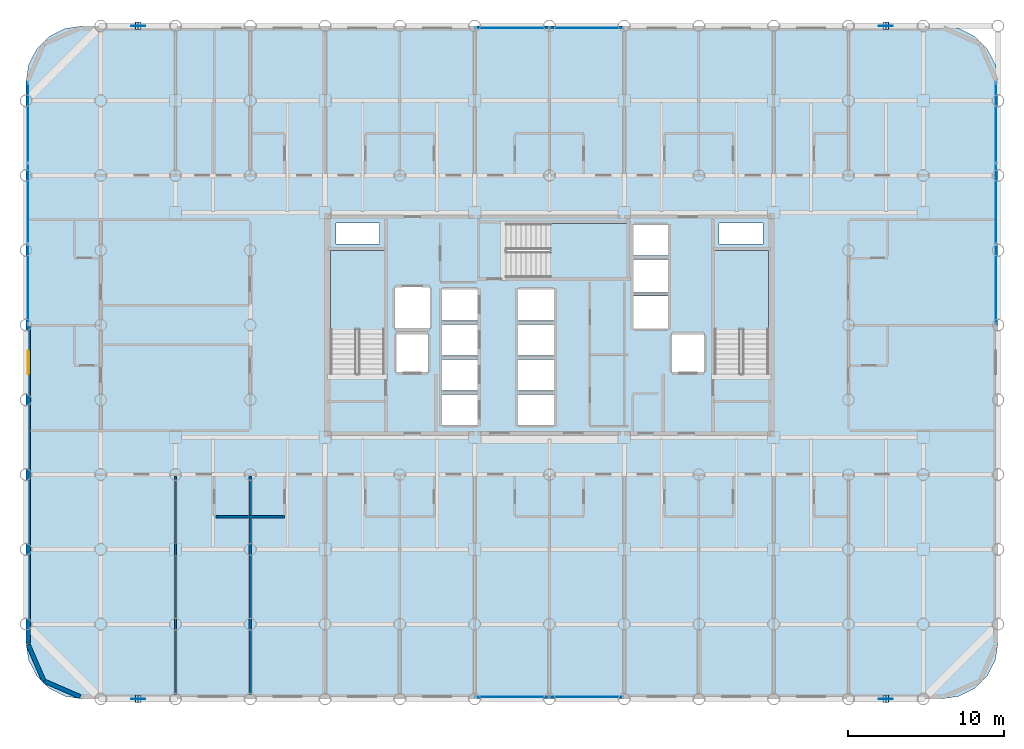
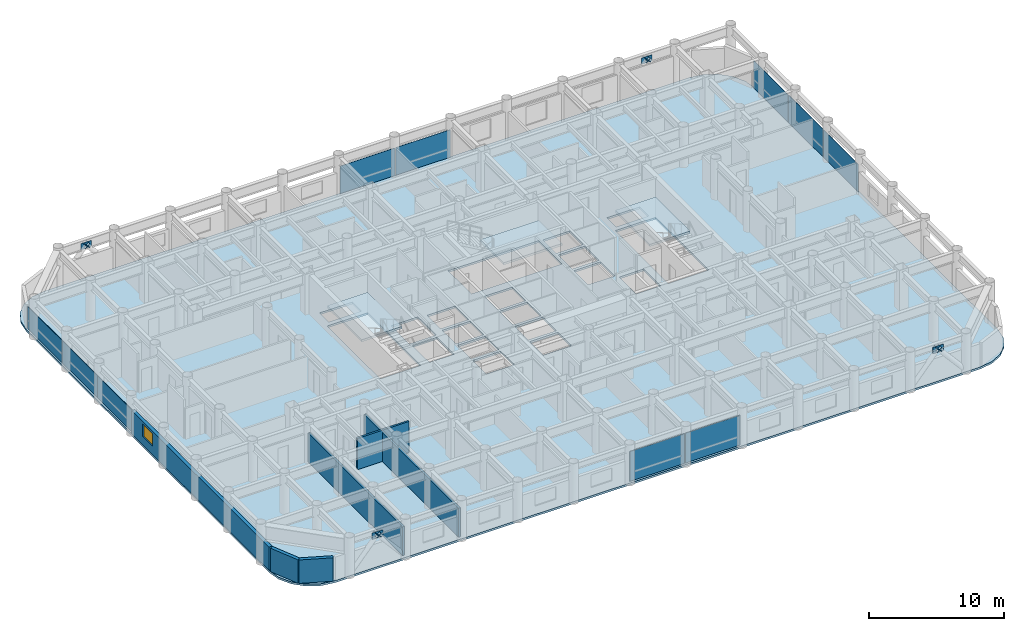
# One storey, part 15 of 22: 22 plates, 6 walls, 4 slabs, 1 window, 1 opening, 7 elements without a shape of their own.
"""IFC4 building model written with IfcOpenShell, lengths in metres."""

import ifcopenshell
import ifcopenshell.guid

model = None  # the IFC model being written
_history = None  # IfcOwnerHistory: only IFC2X3 demands one
_inside = {}  # id of a spatial element -> (the spatial element, [elements in it])
_under = {}  # id of a project, library or spatial element -> (it, [spatial elements below it])
_declared = {}  # id of a project -> (the project, [libraries it declares])
_typed = {}  # id of a type object -> (the type object, [elements of that type])
_made_of = {}  # id of a material, layer set ... -> (it, [elements and type objects made of it])


def new_model(schema):
    """Start an empty IFC model of exactly this schema.

    Asked for "IFC4X3", IfcOpenShell would pick the latest addendum, in which some entities
    have other attributes; the version numbers below select the first issue.
    IFC2X3 requires an IfcOwnerHistory on every rooted entity: one is made here for all.
    """
    global model, _history
    if schema == "IFC4X3":
        model = ifcopenshell.file(schema_version=(4, 3, 0, 0))
    else:
        model = ifcopenshell.file(schema=schema)
    _inside.clear()
    _under.clear()
    _declared.clear()
    _typed.clear()
    _made_of.clear()
    _history = None
    if model.schema == "IFC2X3":
        org = make("IfcOrganization", Name="unknown")
        user = make(
            "IfcPersonAndOrganization",
            ThePerson=make("IfcPerson", FamilyName="unknown"),
            TheOrganization=org,
        )
        app = make(
            "IfcApplication",
            ApplicationDeveloper=org,
            Version="unknown",
            ApplicationFullName="unknown",
            ApplicationIdentifier="unknown",
        )
        _history = make(
            "IfcOwnerHistory",
            OwningUser=user,
            OwningApplication=app,
            ChangeAction="ADDED",
            CreationDate=0,
        )
    return model


def make(cls, **values):
    """One entity of the class cls with the attributes given. An attribute that is None is left unset."""
    return model.create_entity(
        cls, **{name: value for name, value in values.items() if value is not None}
    )


def rooted(cls, **values):
    """An entity with a GlobalId (a new one), such as an element, a storey or a relation."""
    return make(cls, GlobalId=ifcopenshell.guid.new(), OwnerHistory=_history, **values)


def si_unit(unit_type, name, prefix=None):
    """IfcSIUnit, for example si_unit("LENGTHUNIT", "METRE", prefix="MILLI")."""
    return make("IfcSIUnit", UnitType=unit_type, Prefix=prefix, Name=name)


def assignment(units):
    """IfcUnitAssignment: the units of a project."""
    return None if units is None else make("IfcUnitAssignment", Units=units)


def point(xyz):
    """IfcCartesianPoint."""
    return None if xyz is None else make("IfcCartesianPoint", Coordinates=xyz)


def direction(xyz):
    """IfcDirection."""
    return None if xyz is None else make("IfcDirection", DirectionRatios=xyz)


def frame(location, z_axis=None, x_axis=None):
    """IfcAxis2Placement3D, a coordinate frame: its origin and axes. An axis left out is left unset."""
    return make(
        "IfcAxis2Placement3D",
        Location=point(location),
        Axis=direction(z_axis),
        RefDirection=direction(x_axis),
    )


def frame_2d(location, x_axis=None):
    """IfcAxis2Placement2D, a coordinate frame in the plane: its origin and x axis."""
    return make(
        "IfcAxis2Placement2D", Location=point(location), RefDirection=direction(x_axis)
    )


def origin():
    """The frame at (0, 0, 0) with its axes left unset."""
    return frame((0.0, 0.0, 0.0))


def origin_2d():
    """The frame at (0, 0) in the plane with its x axis left unset."""
    return frame_2d((0.0, 0.0))


def place(relative_to, where):
    """IfcLocalPlacement: puts the frame where relative to a parent placement (None: the world)."""
    return make(
        "IfcLocalPlacement", PlacementRelTo=relative_to, RelativePlacement=where
    )


def context(
    kind, dimensions, precision=None, world=None, true_north=None, identifier=None
):
    """IfcGeometricRepresentationContext, for example the 3D "Model" context."""
    return make(
        "IfcGeometricRepresentationContext",
        ContextIdentifier=identifier,
        ContextType=kind,
        CoordinateSpaceDimension=dimensions,
        Precision=precision,
        WorldCoordinateSystem=world,
        TrueNorth=true_north,
    )


def subcontext(parent, identifier, kind, view, scale=None):
    """IfcGeometricRepresentationSubContext, for example "Body" below "Model"."""
    return make(
        "IfcGeometricRepresentationSubContext",
        ContextIdentifier=identifier,
        ContextType=kind,
        ParentContext=parent,
        TargetScale=scale,
        TargetView=view,
    )


def project(units=None, contexts=None):
    """IfcProject with its units and contexts."""
    return rooted(
        "IfcProject",
        Name="project",
        RepresentationContexts=contexts,
        UnitsInContext=assignment(units),
    )


def spatial(cls, under=None, at=None, **own):
    """A site, building, storey or space (cls), placed at a placement, below another one or the project."""
    s = rooted(cls, ObjectPlacement=at, **own)
    if under is not None:
        _under.setdefault(under.id(), (under, []))[1].append(s)
    return s


def polyline(points):
    """IfcPolyline through the points."""
    return make("IfcPolyline", Points=[point(p) for p in points])


def profile(cls, at=None, kind="AREA", **sizes):
    """A parametric profile (cls). Its sizes go by their IFC names, for example OverallWidth=200.0."""
    return make(cls, ProfileType=kind, Position=at, **sizes)


def rectangle(**sizes):
    """IfcRectangleProfileDef."""
    return profile("IfcRectangleProfileDef", **sizes)


def outline(outer, holes=None, kind="AREA"):
    """IfcArbitraryClosedProfileDef: a profile drawn as a closed curve; with holes, ...WithVoids."""
    if holes is None:
        return make("IfcArbitraryClosedProfileDef", ProfileType=kind, OuterCurve=outer)
    return make(
        "IfcArbitraryProfileDefWithVoids",
        ProfileType=kind,
        OuterCurve=outer,
        InnerCurves=holes,
    )


def extrude(swept, where, along, depth):
    """IfcExtrudedAreaSolid: the profile swept, set in the frame where, extruded along a direction by depth."""
    return make(
        "IfcExtrudedAreaSolid",
        SweptArea=swept,
        Position=where,
        ExtrudedDirection=direction(along),
        Depth=depth,
    )


def shape(context_of_items, identifier, shape_type, items):
    """IfcShapeRepresentation: the items that make up one representation, for example the "Body"."""
    return make(
        "IfcShapeRepresentation",
        ContextOfItems=context_of_items,
        RepresentationIdentifier=identifier,
        RepresentationType=shape_type,
        Items=items,
    )


def material(Name=None, Category=None):
    """IfcMaterial."""
    return make("IfcMaterial", Name=Name, Category=Category)


def layer(
    of_material, thickness, ventilated=None, Name=None, Category=None, Priority=None
):
    """IfcMaterialLayer: one layer of a wall or slab, of a material (None: an air gap)."""
    return make(
        "IfcMaterialLayer",
        Material=of_material,
        LayerThickness=thickness,
        IsVentilated=ventilated,
        Name=Name,
        Category=Category,
        Priority=Priority,
    )


def layer_set(layers, Name=None):
    """IfcMaterialLayerSet."""
    return make("IfcMaterialLayerSet", MaterialLayers=layers, LayerSetName=Name)


def made_of(thing, what):
    """Note that an element or type object is made of a material, layer set ...; save() writes the relation."""
    if what is not None:
        _made_of.setdefault(what.id(), (what, []))[1].append(thing)
    return thing


def type_object(cls, material=None, **own):
    """A type object (cls), such as IfcWallType, which elements share."""
    return made_of(rooted(cls, **own), material)


def element(
    cls,
    number,
    at=None,
    inside=None,
    cuts=None,
    type_object=None,
    material=None,
    context=None,
    identifier="Body",
    shape_type=None,
    held_by="IfcProductDefinitionShape",
    body=None,
    shapes=None,
    **own,
):
    """One element of the class cls, such as IfcWall. Its Tag is "e" and its number.

    at: its placement. inside: the storey or other place that contains it. cuts: it is an
    opening in that element (IfcRelVoidsElement). A single representation is given by context,
    identifier, shape_type and body (its items); several are given by shapes. held_by: the class
    of the entity that holds the representations. save() writes the other relations.
    """
    e = rooted(cls, Tag="e%d" % number, ObjectPlacement=at, **own)
    if body is not None:
        shapes = [shape(context, identifier, shape_type, body)]
    if shapes is not None:
        e.Representation = make(held_by, Representations=shapes)
    if inside is not None:
        _inside.setdefault(inside.id(), (inside, []))[1].append(e)
    if cuts is not None:
        rooted(
            "IfcRelVoidsElement", RelatingBuildingElement=cuts, RelatedOpeningElement=e
        )
    if type_object is not None:
        _typed.setdefault(type_object.id(), (type_object, []))[1].append(e)
    return made_of(e, material)


def fill(opening, filler):
    """IfcRelFillsElement: the door or window that sits in an opening."""
    return rooted(
        "IfcRelFillsElement",
        RelatingOpeningElement=opening,
        RelatedBuildingElement=filler,
    )


def aggregate(whole, parts):
    """IfcRelAggregates: a whole, such as a stair, and the parts it consists of."""
    return rooted("IfcRelAggregates", RelatingObject=whole, RelatedObjects=parts)


def save(model, path):
    """Write the relations noted so far, then the file.

    IfcRelAggregates (storeys below a building ...), IfcRelContainedInSpatialStructure (elements
    in a storey), IfcRelDefinesByType, IfcRelAssociatesMaterial and IfcRelDeclares: one each for
    every whole, place, type object, material and project.
    """
    for whole, parts in _under.values():
        aggregate(whole, parts)
    for where, things in _inside.values():
        rooted(
            "IfcRelContainedInSpatialStructure",
            RelatedElements=things,
            RelatingStructure=where,
        )
    for kind, things in _typed.values():
        rooted("IfcRelDefinesByType", RelatedObjects=things, RelatingType=kind)
    for what, things in _made_of.values():
        rooted("IfcRelAssociatesMaterial", RelatedObjects=things, RelatingMaterial=what)
    for by, libraries in _declared.values():
        rooted("IfcRelDeclares", RelatingContext=by, RelatedDefinitions=libraries)
    model.write(path)


model = new_model("IFC4")

# Units and contexts
model_context = context("Model", 3, precision=1e-05, world=origin(), true_north=direction((0.0, 1.0)))
body_context = subcontext(model_context, "Body", "Model", "MODEL_VIEW")
ifc_project = project(units=[si_unit("LENGTHUNIT", "METRE"), si_unit("AREAUNIT", "SQUARE_METRE"), si_unit("VOLUMEUNIT", "CUBIC_METRE"), si_unit("PLANEANGLEUNIT", "RADIAN"), si_unit("MASSUNIT", "GRAM", prefix="KILO")], contexts=[model_context])

# Site, building, storey
site_placement = place(None, origin())
site = spatial("IfcSite", under=ifc_project, at=site_placement, CompositionType="ELEMENT")
building_placement = place(site_placement, origin())
building = spatial("IfcBuilding", under=site, at=building_placement, Name="Kallvorn Hotel Tower", CompositionType="ELEMENT")
storey_placement = place(building_placement, frame((0.0, 0.0, 33.699951171875)))
storey = spatial("IfcBuildingStorey", under=building, at=storey_placement, Name="L06", CompositionType="ELEMENT", Elevation=33.699951171875)

# Curtain wall, plates
ifc_material_1 = material(Name="Thermally broken black-anodised aluminium AA 6063-T6", Category="aluminium")
ifc_layer_1 = layer(ifc_material_1, 0.199951171875)
ifc_layer_set_1 = layer_set([ifc_layer_1], Name="CW_SYS_3_HOTEL_LOW")
curtain_wall_type = type_object("IfcCurtainWallType", Name="CW_SYS_3_HOTEL_LOW", PredefinedType="USERDEFINED", material=ifc_layer_set_1)
curtain_wall_1_placement = place(storey_placement, origin())
curtain_wall_1 = element("IfcCurtainWall", 1, at=curtain_wall_1_placement, inside=storey, type_object=curtain_wall_type, Name="L06 Dark-Glass Curtain Wall CW-L06-SC", ObjectType="UNITISED CURTAIN WALL", PredefinedType="USERDEFINED")
ifc_material_2 = material(Name="Double-glazed low-e solar-control dark glass", Category="glass")
ifc_layer_2 = layer(ifc_material_2, 0.035888671875)
ifc_layer_set_2 = layer_set([ifc_layer_2], Name="CW_SYS_3_HOTEL_LOW_PANEL")
plate_type_1 = type_object("IfcPlateType", Name="CW_SYS_3_HOTEL_LOW_PANEL", PredefinedType="CURTAIN_PANEL", material=ifc_layer_set_2)
plate_1_placement = place(storey_placement, frame((-2.375, -23.8798828125, 0.06005859375), z_axis=(0.0, 0.0, 1.0), x_axis=(1.0, 0.0, 0.0)))
plate_1 = element("IfcPlate", 2, at=plate_1_placement, type_object=plate_type_1, Name="CW-L06-SC Vision Glass Panel 00", PredefinedType="CURTAIN_PANEL", context=body_context, shape_type="SweptSolid", body=[
    extrude(rectangle(XDim=4.68994140625, YDim=0.035888671875, at=origin_2d()), origin(), (0.0, 0.0, 1.0), 2.699951171875),
])
plate_2_placement = place(storey_placement, frame((2.375, -23.8798828125, 0.06005859375), z_axis=(0.0, 0.0, 1.0), x_axis=(1.0, 0.0, 0.0)))
plate_2 = element("IfcPlate", 3, at=plate_2_placement, type_object=plate_type_1, Name="CW-L06-SC Vision Glass Panel 01", PredefinedType="CURTAIN_PANEL", context=body_context, shape_type="SweptSolid", body=[
    extrude(rectangle(XDim=4.68994140625, YDim=0.035888671875, at=origin_2d()), origin(), (0.0, 0.0, 1.0), 2.699951171875),
])
aggregate(curtain_wall_1, [plate_1, plate_2])

curtain_wall_2_placement = place(storey_placement, origin())
curtain_wall_2 = element("IfcCurtainWall", 4, at=curtain_wall_2_placement, inside=storey, type_object=curtain_wall_type, Name="L06 Dark-Glass Curtain Wall CW-L06-NC", ObjectType="UNITISED CURTAIN WALL", PredefinedType="USERDEFINED")
plate_3_placement = place(storey_placement, frame((-2.375, 19.080078125, 0.06005859375), z_axis=(0.0, 0.0, 1.0), x_axis=(1.0, 0.0, 0.0)))
plate_3 = element("IfcPlate", 5, at=plate_3_placement, type_object=plate_type_1, Name="CW-L06-NC Vision Glass Panel 00", PredefinedType="CURTAIN_PANEL", context=body_context, shape_type="SweptSolid", body=[
    extrude(rectangle(XDim=4.68994140625, YDim=0.035888671875, at=origin_2d()), origin(), (0.0, 0.0, 1.0), 2.5),
])
plate_4_placement = place(storey_placement, frame((2.375, 19.080078125, 0.06005859375), z_axis=(0.0, 0.0, 1.0), x_axis=(1.0, 0.0, 0.0)))
plate_4 = element("IfcPlate", 6, at=plate_4_placement, type_object=plate_type_1, Name="CW-L06-NC Vision Glass Panel 01", PredefinedType="CURTAIN_PANEL", context=body_context, shape_type="SweptSolid", body=[
    extrude(rectangle(XDim=4.68994140625, YDim=0.035888671875, at=origin_2d()), origin(), (0.0, 0.0, 1.0), 2.5),
])
aggregate(curtain_wall_2, [plate_3, plate_4])

curtain_wall_3_placement = place(storey_placement, origin())
curtain_wall_3 = element("IfcCurtainWall", 7, at=curtain_wall_3_placement, inside=storey, type_object=curtain_wall_type, Name="L06 Dark-Glass Curtain Wall CW-L06-WN", ObjectType="UNITISED CURTAIN WALL", PredefinedType="USERDEFINED")
plate_5_placement = place(storey_placement, frame((-33.47998046875, 2.61669921875, 0.06005859375), z_axis=(0.0, 0.0, 1.0), x_axis=(0.0, 1.0, 0.0)))
plate_5 = element("IfcPlate", 8, at=plate_5_placement, type_object=plate_type_1, Name="CW-L06-WN Vision Glass Panel 00", PredefinedType="CURTAIN_PANEL", context=body_context, shape_type="SweptSolid", body=[
    extrude(rectangle(XDim=5.13330078125, YDim=0.035888671875, at=origin_2d()), origin(), (0.0, 0.0, 1.0), 2.0),
])
plate_6_placement = place(storey_placement, frame((-33.47998046875, 7.81005859375, 0.06005859375), z_axis=(0.0, 0.0, 1.0), x_axis=(0.0, 1.0, 0.0)))
plate_6 = element("IfcPlate", 9, at=plate_6_placement, type_object=plate_type_1, Name="CW-L06-WN Vision Glass Panel 01", PredefinedType="CURTAIN_PANEL", context=body_context, shape_type="SweptSolid", body=[
    extrude(rectangle(XDim=5.13330078125, YDim=0.035888671875, at=origin_2d()), origin(), (0.0, 0.0, 1.0), 2.0),
])
plate_7_placement = place(storey_placement, frame((-33.47998046875, 13.00341796875, 0.06005859375), z_axis=(0.0, 0.0, 1.0), x_axis=(0.0, 1.0, 0.0)))
plate_7 = element("IfcPlate", 10, at=plate_7_placement, type_object=plate_type_1, Name="CW-L06-WN Vision Glass Panel 02", PredefinedType="CURTAIN_PANEL", context=body_context, shape_type="SweptSolid", body=[
    extrude(rectangle(XDim=5.13330078125, YDim=0.035888671875, at=origin_2d()), origin(), (0.0, 0.0, 1.0), 2.0),
])
aggregate(curtain_wall_3, [plate_5, plate_6, plate_7])

curtain_wall_4_placement = place(storey_placement, origin())
curtain_wall_4 = element("IfcCurtainWall", 11, at=curtain_wall_4_placement, inside=storey, type_object=curtain_wall_type, Name="L06 Dark-Glass Curtain Wall CW-L06-EN", ObjectType="UNITISED CURTAIN WALL", PredefinedType="USERDEFINED")
plate_8_placement = place(storey_placement, frame((28.679931640625, 2.61669921875, 0.06005859375), z_axis=(0.0, 0.0, 1.0), x_axis=(0.0, 1.0, 0.0)))
plate_8 = element("IfcPlate", 12, at=plate_8_placement, type_object=plate_type_1, Name="CW-L06-EN Vision Glass Panel 00", PredefinedType="CURTAIN_PANEL", context=body_context, shape_type="SweptSolid", body=[
    extrude(rectangle(XDim=5.13330078125, YDim=0.035888671875, at=origin_2d()), origin(), (0.0, 0.0, 1.0), 2.5),
])
plate_9_placement = place(storey_placement, frame((28.679931640625, 7.81005859375, 0.06005859375), z_axis=(0.0, 0.0, 1.0), x_axis=(0.0, 1.0, 0.0)))
plate_9 = element("IfcPlate", 13, at=plate_9_placement, type_object=plate_type_1, Name="CW-L06-EN Vision Glass Panel 01", PredefinedType="CURTAIN_PANEL", context=body_context, shape_type="SweptSolid", body=[
    extrude(rectangle(XDim=5.13330078125, YDim=0.035888671875, at=origin_2d()), origin(), (0.0, 0.0, 1.0), 2.5),
])
plate_10_placement = place(storey_placement, frame((28.679931640625, 13.00341796875, 0.06005859375), z_axis=(0.0, 0.0, 1.0), x_axis=(0.0, 1.0, 0.0)))
plate_10 = element("IfcPlate", 14, at=plate_10_placement, type_object=plate_type_1, Name="CW-L06-EN Vision Glass Panel 02", PredefinedType="CURTAIN_PANEL", context=body_context, shape_type="SweptSolid", body=[
    extrude(rectangle(XDim=5.13330078125, YDim=0.035888671875, at=origin_2d()), origin(), (0.0, 0.0, 1.0), 2.5),
])
aggregate(curtain_wall_4, [plate_8, plate_9, plate_10])

# Plates
ifc_material_3 = material(Name="Structural steel S355JR", Category="steel")
ifc_layer_3 = layer(ifc_material_3, 0.030029296875)
ifc_layer_set_3 = layer_set([ifc_layer_3], Name="PLT_CAP_30")
plate_type_2 = type_object("IfcPlateType", Name="PLT_CAP_30", PredefinedType="SHEET", material=ifc_layer_set_3)
for number, where, z_axis, x_axis, name in (
    (15, (-26.20947265625, -24.2431640625, 2.808837890625), (0.653227612507, 0.0, 0.75716159851), (0.0, 1.0, 0.0), "EXO-L06-S1A End Cap Plate B"),
    (16, (-26.590576171875, -23.7568359375, 2.808837890625), (-0.653227612507, 0.0, 0.75716159851), (0.0, -1.0, 0.0), "EXO-L06-S1B End Cap Plate B"),
    (17, (21.79052734375, -24.2431640625, 2.808837890625), (0.653227612507, 0.0, 0.75716159851), (0.0, 1.0, 0.0), "EXO-L06-S2A End Cap Plate B"),
    (18, (21.409423828125, -23.7568359375, 2.808837890625), (-0.653227612507, 0.0, 0.75716159851), (0.0, -1.0, 0.0), "EXO-L06-S2B End Cap Plate B"),
    (19, (-26.20947265625, 18.956787109375, 2.808837890625), (0.653227612507, 0.0, 0.75716159851), (0.0, 1.0, 0.0), "EXO-L06-N1A End Cap Plate B"),
    (20, (-26.590576171875, 19.443115234375, 2.808837890625), (-0.653227612507, 0.0, 0.75716159851), (0.0, -1.0, 0.0), "EXO-L06-N1B End Cap Plate B"),
    (21, (21.79052734375, 18.956787109375, 2.808837890625), (0.653227612507, 0.0, 0.75716159851), (0.0, 1.0, 0.0), "EXO-L06-N2A End Cap Plate B"),
    (22, (21.409423828125, 19.443115234375, 2.808837890625), (-0.653227612507, 0.0, 0.75716159851), (0.0, -1.0, 0.0), "EXO-L06-N2B End Cap Plate B"),
):
    element("IfcPlate", number, at=place(storey_placement, frame(where, z_axis=z_axis, x_axis=x_axis)), inside=storey, type_object=plate_type_2, Name=name, PredefinedType="SHEET", context=body_context, shape_type="SweptSolid", body=[
        extrude(outline(polyline([(0.0, 0.0), (0.486328125, 0.0), (0.486328125, 0.4862423863341974), (0.0, 0.4862423863341974), (0.0, 0.0)])), origin(), (0.0, 0.0, -1.0), 0.030029296875),
    ])
ifc_material_4 = material(Name="Structural steel S355JR", Category="steel")
ifc_layer_4 = layer(ifc_material_4, 0.044921875)
ifc_layer_set_4 = layer_set([ifc_layer_4], Name="PLT_GUSSET_45")
plate_type_3 = type_object("IfcPlateType", Name="PLT_GUSSET_45", PredefinedType="USERDEFINED", material=ifc_layer_set_4)
for number, where, z_axis, x_axis, name in (
    (23, (-26.39990234375, -24.0, 2.64013671875), (0.0, 0.0, 1.0), (1.0, 0.0, 0.0), "L06 Exoskeleton Node Gusset S1"),
    (24, (21.60009765625, -24.0, 2.64013671875), (0.0, 0.0, 1.0), (1.0, 0.0, 0.0), "L06 Exoskeleton Node Gusset S2"),
    (25, (-26.39990234375, 19.199951171875, 2.64013671875), (0.0, 0.0, 1.0), (1.0, 0.0, 0.0), "L06 Exoskeleton Node Gusset N1"),
    (26, (21.60009765625, 19.199951171875, 2.64013671875), (0.0, 0.0, 1.0), (1.0, 0.0, 0.0), "L06 Exoskeleton Node Gusset N2"),
):
    element("IfcPlate", number, at=place(storey_placement, frame(where, z_axis=z_axis, x_axis=x_axis)), inside=storey, type_object=plate_type_3, Name=name, ObjectType="GUSSET PLATE", PredefinedType="USERDEFINED", context=body_context, shape_type="SweptSolid", body=[
        extrude(rectangle(XDim=0.89990234375, YDim=0.044921875, at=origin_2d()), origin(), (0.0, 0.0, 1.0), 0.56005859375),
    ])

# Stair, slab
ifc_material_5 = material(Name="Precast concrete C40/50", Category="concrete")
stair_type = type_object("IfcStairType", Name="STR_CORE_DOGLEG", PredefinedType="HALF_TURN_STAIR", material=ifc_material_5)
stair_1_placement = place(storey_placement, origin())
stair_1 = element("IfcStair", 27, at=stair_1_placement, inside=storey, type_object=stair_type, Name="L06 Exit stair ST1", PredefinedType="HALF_TURN_STAIR")
ifc_material_6 = material(Name="Precast concrete C40/50", Category="concrete")
ifc_layer_5 = layer(ifc_material_6, 0.179931640625)
ifc_layer_set_5 = layer_set([ifc_layer_5], Name="SLB_LANDING_180")
slab_type_1 = type_object("IfcSlabType", Name="SLB_LANDING_180", PredefinedType="LANDING", material=ifc_layer_set_5)
slab_1_placement = place(storey_placement, frame((0.0, 0.0, 1.650146484375)))
slab_1 = element("IfcSlab", 28, at=slab_1_placement, type_object=slab_type_1, Name="ST1 landing 1", PredefinedType="LANDING", context=body_context, shape_type="SweptSolid", body=[
    extrude(outline(polyline([(-10.60009765625, -0.31005859375), (-10.60009765625, 4.800048828125), (-14.06005859375, 4.800048828125), (-14.06005859375, -0.31005859375), (-10.60009765625, -0.31005859375)])), origin(), (0.0, 0.0, 1.0), 0.199951171875),
])
aggregate(stair_1, [slab_1])

stair_2_placement = place(storey_placement, origin())
stair_2 = element("IfcStair", 29, at=stair_2_placement, inside=storey, type_object=stair_type, Name="L06 Exit stair ST2", PredefinedType="HALF_TURN_STAIR")
slab_2_placement = place(storey_placement, frame((0.0, 0.0, 1.650146484375)))
slab_2 = element("IfcSlab", 30, at=slab_2_placement, type_object=slab_type_1, Name="ST2 landing 1", PredefinedType="LANDING", context=body_context, shape_type="SweptSolid", body=[
    extrude(outline(polyline([(14.06005859375, -0.31005859375), (14.06005859375, 4.800048828125), (10.60009765625, 4.800048828125), (10.60009765625, -0.31005859375), (14.06005859375, -0.31005859375)])), origin(), (0.0, 0.0, 1.0), 0.199951171875),
])
aggregate(stair_2, [slab_2])

stair_3_placement = place(storey_placement, origin())
stair_3 = element("IfcStair", 31, at=stair_3_placement, inside=storey, type_object=stair_type, Name="L06 Exit stair ST3", PredefinedType="HALF_TURN_STAIR")
slab_3_placement = place(storey_placement, frame((0.0, 0.0, 1.650146484375)))
slab_3 = element("IfcSlab", 32, at=slab_3_placement, type_object=slab_type_1, Name="ST3 landing 1", PredefinedType="LANDING", context=body_context, shape_type="SweptSolid", body=[
    extrude(outline(polyline([(0.0400390625, 3.050048828125), (5.050048828125, 3.050048828125), (5.050048828125, 6.510009765625), (0.0400390625, 6.510009765625), (0.0400390625, 3.050048828125)])), origin(), (0.0, 0.0, 1.0), 0.199951171875),
])
aggregate(stair_3, [slab_3])

# Slab
ifc_material_7 = material(Name="Concrete C40/50", Category="concrete")
ifc_layer_6 = layer(ifc_material_7, 0.179931640625)
ifc_layer_set_6 = layer_set([ifc_layer_6], Name="SLB_TOWER_180")
slab_type_2 = type_object("IfcSlabType", Name="SLB_TOWER_180", PredefinedType="FLOOR", material=ifc_layer_set_6)
slab_4_placement = place(storey_placement, frame((0.0, 0.0, -0.179931640625)))
element("IfcSlab", 33, at=slab_4_placement, inside=storey, type_object=slab_type_2, Name="L06 Structural Floor Slab", PredefinedType="FLOOR", context=body_context, shape_type="SweptSolid", body=[
    extrude(outline(polyline([(25.199951171875, -24.0), (26.3125, -23.82373046875), (27.31591796875, -23.3125), (28.112548828125, -22.51611328125), (28.623779296875, -21.512451171875), (28.800048828125, -20.39990234375), (28.800048828125, 15.60009765625), (28.623779296875, 16.71240234375), (28.112548828125, 17.716064453125), (27.31591796875, 18.512451171875), (26.3125, 19.023681640625), (25.199951171875, 19.199951171875), (-30.0, 19.199951171875), (-31.112548828125, 19.023681640625), (-32.115966796875, 18.512451171875), (-32.91259765625, 17.716064453125), (-33.423828125, 16.71240234375), (-33.60009765625, 15.60009765625), (-33.60009765625, -20.39990234375), (-33.423828125, -21.512451171875), (-32.91259765625, -22.51611328125), (-32.115966796875, -23.3125), (-31.112548828125, -23.82373046875), (-30.0, -24.0), (25.199951171875, -24.0)]), holes=[polyline([(-10.60009765625, -3.070068359375), (-10.60009765625, 4.800048828125), (-14.06005859375, 4.800048828125), (-14.06005859375, -3.070068359375), (-10.60009765625, -3.070068359375)]), polyline([(14.06005859375, -3.070068359375), (14.06005859375, 4.800048828125), (10.60009765625, 4.800048828125), (10.60009765625, -3.070068359375), (14.06005859375, -3.070068359375)]), polyline([(-2.719970703125, 3.050048828125), (5.050048828125, 3.050048828125), (5.050048828125, 6.510009765625), (-2.719970703125, 6.510009765625), (-2.719970703125, 3.050048828125)]), polyline([(-6.949951171875, -6.449951171875), (-4.550048828125, -6.449951171875), (-4.550048828125, -4.449951171875), (-6.949951171875, -4.449951171875), (-6.949951171875, -6.449951171875)]), polyline([(-6.949951171875, -4.199951171875), (-4.550048828125, -4.199951171875), (-4.550048828125, -2.199951171875), (-6.949951171875, -2.199951171875), (-6.949951171875, -4.199951171875)]), polyline([(-6.949951171875, -1.949951171875), (-4.550048828125, -1.949951171875), (-4.550048828125, 0.050048828125), (-6.949951171875, 0.050048828125), (-6.949951171875, -1.949951171875)]), polyline([(-6.949951171875, 0.300048828125), (-4.550048828125, 0.300048828125), (-4.550048828125, 2.300048828125), (-6.949951171875, 2.300048828125), (-6.949951171875, 0.300048828125)]), polyline([(-2.050048828125, -6.449951171875), (0.35009765625, -6.449951171875), (0.35009765625, -4.449951171875), (-2.050048828125, -4.449951171875), (-2.050048828125, -6.449951171875)]), polyline([(-2.050048828125, -4.199951171875), (0.35009765625, -4.199951171875), (0.35009765625, -2.199951171875), (-2.050048828125, -2.199951171875), (-2.050048828125, -4.199951171875)]), polyline([(-2.050048828125, -1.949951171875), (0.35009765625, -1.949951171875), (0.35009765625, 0.050048828125), (-2.050048828125, 0.050048828125), (-2.050048828125, -1.949951171875)]), polyline([(-2.050048828125, 0.300048828125), (0.35009765625, 0.300048828125), (0.35009765625, 2.300048828125), (-2.050048828125, 2.300048828125), (-2.050048828125, 0.300048828125)]), polyline([(5.35009765625, -0.25), (7.64990234375, -0.25), (7.64990234375, 1.85009765625), (5.35009765625, 1.85009765625), (5.35009765625, -0.25)]), polyline([(5.35009765625, 2.10009765625), (7.64990234375, 2.10009765625), (7.64990234375, 4.199951171875), (5.35009765625, 4.199951171875), (5.35009765625, 2.10009765625)]), polyline([(5.35009765625, 4.449951171875), (7.64990234375, 4.449951171875), (7.64990234375, 6.449951171875), (5.35009765625, 6.449951171875), (5.35009765625, 4.449951171875)]), polyline([(-9.85009765625, -3.050048828125), (-7.75, -3.050048828125), (-7.75, -0.550048828125), (-9.85009765625, -0.550048828125), (-9.85009765625, -3.050048828125)]), polyline([(7.85009765625, -3.050048828125), (9.949951171875, -3.050048828125), (9.949951171875, -0.550048828125), (7.85009765625, -0.550048828125), (7.85009765625, -3.050048828125)]), polyline([(-9.949951171875, -0.25), (-7.64990234375, -0.25), (-7.64990234375, 2.449951171875), (-9.949951171875, 2.449951171875), (-9.949951171875, -0.25)]), polyline([(-13.699951171875, 5.199951171875), (-10.89990234375, 5.199951171875), (-10.89990234375, 6.550048828125), (-13.699951171875, 6.550048828125), (-13.699951171875, 5.199951171875)]), polyline([(10.89990234375, 5.199951171875), (13.699951171875, 5.199951171875), (13.699951171875, 6.550048828125), (10.89990234375, 6.550048828125), (10.89990234375, 5.199951171875)])]), origin(), (0.0, 0.0, 1.0), 0.179931640625),
])

# Walls
ifc_material_8 = material(Name="Fire-rated double-layer acoustic gypsum drywall EI 60")
ifc_layer_7 = layer(ifc_material_8, 0.159912109375)
ifc_layer_set_7 = layer_set([ifc_layer_7], Name="WL_DEMISE_160")
wall_type_1 = type_object("IfcWallType", Name="WL_DEMISE_160", PredefinedType="PARTITIONING", material=ifc_layer_set_7)
wall_1_placement = place(storey_placement, frame((-21.409912109375, -12.320068359375, 0.0), z_axis=(0.0, 0.0, 1.0), x_axis=(1.0, 0.0, 0.0)))
element("IfcWall", 34, at=wall_1_placement, inside=storey, type_object=wall_type_1, Name="L06 Suite 605 Superior Twin Room Partition", PredefinedType="PARTITIONING", context=body_context, shape_type="SweptSolid", body=[
    extrude(rectangle(XDim=4.419921875, YDim=0.159912109375, at=frame_2d((2.2099609375, 0.0))), origin(), (0.0, 0.0, 1.0), 2.820068359375),
])
for number, where, z_axis, x_axis, name in (
    (35, (-24.0, -23.7099609375, 0.0), (0.0, 0.0, 1.0), (0.0, 1.0, 0.0), "L06 Suite 605 Superior Twin Room Partition"),
    (36, (-19.199951171875, -23.7099609375, 0.0), (0.0, 0.0, 1.0), (0.0, 1.0, 0.0), "L06 Suite 605 Superior Twin Room Partition"),
):
    element("IfcWall", number, at=place(storey_placement, frame(where, z_axis=z_axis, x_axis=x_axis)), inside=storey, type_object=wall_type_1, Name=name, PredefinedType="PARTITIONING", context=body_context, shape_type="SweptSolid", body=[
        extrude(rectangle(XDim=13.989990234375, YDim=0.159912109375, at=frame_2d((6.9951171875, 0.0))), origin(), (0.0, 0.0, 1.0), 2.6201171875),
    ])
ifc_material_9 = material(Name="Precast basalt-clad insulated concrete wall C40/50", Category="masonry")
ifc_layer_8 = layer(ifc_material_9, 0.280029296875)
ifc_layer_set_8 = layer_set([ifc_layer_8], Name="WL_EXT_LOGGIA_280")
wall_type_2 = type_object("IfcWallType", Name="WL_EXT_LOGGIA_280", PredefinedType="SOLIDWALL", material=ifc_layer_set_8)
wall_2_placement = place(storey_placement, frame((-33.4580078125, -20.520751953125, 0.0), z_axis=(0.0, 0.0, 1.0), x_axis=(0.398792985289, -0.917040977756, 0.0)))
element("IfcWall", 37, at=wall_2_placement, inside=storey, type_object=wall_type_2, Name="L06 Rounded Corner Exterior Wall SW1", PredefinedType="SOLIDWALL", context=body_context, shape_type="SweptSolid", body=[
    extrude(rectangle(XDim=2.536376953125, YDim=0.280029296875, at=frame_2d((1.26806640625, 0.0))), origin(), (0.0, 0.0, 1.0), 2.1201171875),
])
wall_3_placement = place(storey_placement, frame((-32.446533203125, -22.8466796875, 0.0), z_axis=(0.0, 0.0, 1.0), x_axis=(0.917060872934, -0.398747232384, 0.0)))
element("IfcWall", 38, at=wall_3_placement, inside=storey, type_object=wall_type_2, Name="L06 Rounded Corner Exterior Wall SW2", PredefinedType="SOLIDWALL", context=body_context, shape_type="SweptSolid", body=[
    extrude(rectangle(XDim=2.5361328125, YDim=0.280029296875, at=frame_2d((1.26806640625, 0.0))), origin(), (0.0, 0.0, 1.0), 2.1201171875),
])

# Wall, opening, window
wall_4_placement = place(storey_placement, frame((-33.4599609375, -20.39990234375, 0.0), z_axis=(0.0, 0.0, 1.0), x_axis=(0.0, 1.0, 0.0)))
wall_4 = element("IfcWall", 39, at=wall_4_placement, inside=storey, type_object=wall_type_2, Name="L06 Exterior Envelope Wall EW-L06-WS", PredefinedType="SOLIDWALL", context=body_context, shape_type="SweptSolid", body=[
    extrude(rectangle(XDim=20.3798828125, YDim=0.280029296875, at=frame_2d((10.18994140625, 0.0))), origin(), (0.0, 0.0, 1.0), 2.1201171875),
])
opening_placement = place(wall_4_placement, frame((17.25, 0.0, 0.75)))
opening = element("IfcOpeningElement", 40, at=opening_placement, cuts=wall_4, Name="Opening W05A", PredefinedType="OPENING", context=body_context, shape_type="SweptSolid", body=[
    extrude(rectangle(XDim=1.5, YDim=1.14990234375, at=frame_2d((0.75, 0.574951171875))), frame((0.0, 0.155029296875, 0.0), z_axis=(0.0, -1.0, 0.0), x_axis=(1.0, 0.0, 0.0)), (0.0, 0.0, 1.0), 0.31005859375),
])
ifc_material_10 = material(Name="Double-glazed low-e solar-control dark glass", Category="glass")
window_type = type_object("IfcWindowType", Name="WN_HTL_1500x1150", PartitioningType="SINGLE_PANEL", PredefinedType="WINDOW", material=ifc_material_10)
window_placement = place(opening_placement, origin())
window = element("IfcWindow", 41, at=window_placement, inside=storey, type_object=window_type, Name="L06 Flank Wing Window 01", OverallHeight=1.14990234375, OverallWidth=1.5, PartitioningType="SINGLE_PANEL", PredefinedType="WINDOW", context=body_context, shape_type="SweptSolid", body=[
    extrude(rectangle(XDim=1.5, YDim=1.14990234375, at=frame_2d((0.75, 0.574951171875))), frame((0.0, 0.030029296875, 0.0), z_axis=(0.0, -1.0, 0.0), x_axis=(1.0, 0.0, 0.0)), (0.0, 0.0, 1.0), 0.06005859375),
])
fill(opening, window)

save(model, "model.ifc")
